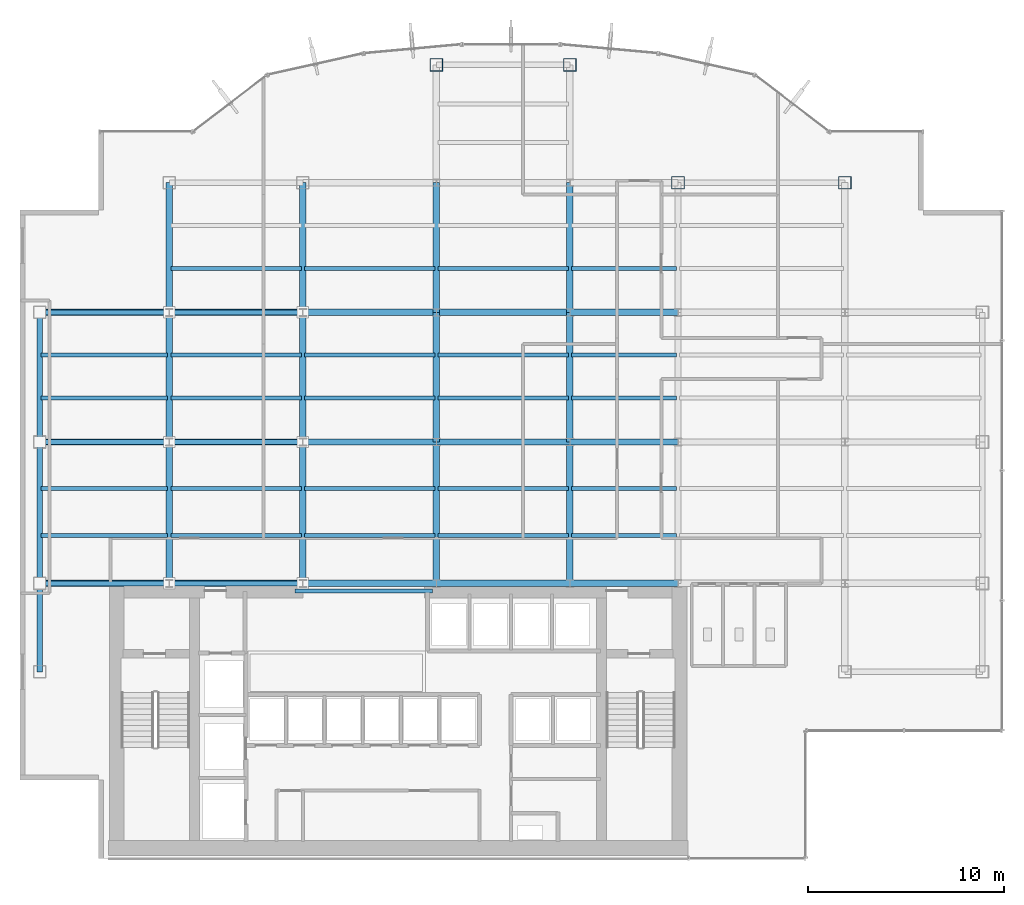
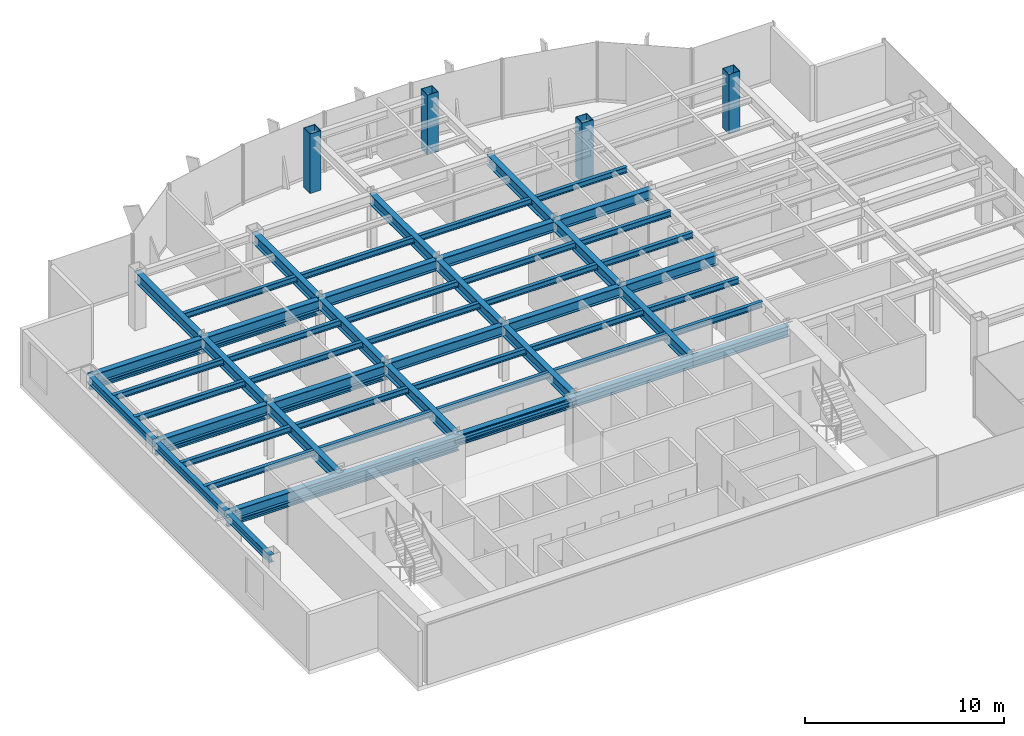
# One storey, part 2 of 19: 52 beams, 6 members, 4 columns.
"""IFC4 building model written with IfcOpenShell, lengths in metres."""

from ifc_helpers import new_model, si_unit, derived_unit, direction, frame, origin, origin_2d, place, context, subcontext, project, spatial, hollow_rectangle, i_section, extrude, source, transform, mapped, material, material_profile, profile_set, type_object, element, save


model = new_model("IFC4")

# Units and contexts
model_context = context("Model", 3, precision=1e-05, world=origin(), true_north=direction((0.0, 1.0)))
body_context = subcontext(model_context, "Body", "Model", "MODEL_VIEW")
ifc_project = project(units=[si_unit("LENGTHUNIT", "METRE"), si_unit("AREAUNIT", "SQUARE_METRE"), si_unit("VOLUMEUNIT", "CUBIC_METRE"), si_unit("PLANEANGLEUNIT", "RADIAN"), si_unit("MASSUNIT", "GRAM", prefix="KILO"), derived_unit("THERMALTRANSMITTANCEUNIT", [(si_unit("POWERUNIT", "WATT"), 1), (si_unit("LENGTHUNIT", "METRE"), -2), (si_unit("THERMODYNAMICTEMPERATUREUNIT", "KELVIN"), -1)])], contexts=[model_context])

# Site, building, storey
site_placement = place(None, origin())
site = spatial("IfcSite", under=ifc_project, at=site_placement, CompositionType="ELEMENT")
building_placement = place(site_placement, origin())
building = spatial("IfcBuilding", under=site, at=building_placement, Name="Skarnbrae Concourse Arena and Tower", CompositionType="ELEMENT")
storey_placement = place(building_placement, frame((0.0, 0.0, 180.75)))
storey = spatial("IfcBuildingStorey", under=building, at=storey_placement, Name="L46", CompositionType="ELEMENT", Elevation=180.75)

# Columns
ifc_material = material(Name="Steel CSA G40.21 350W", Category="steel")
ifc_material_profile_1 = material_profile(ifc_material, hollow_rectangle(XDim=0.64990234375, YDim=0.64990234375, WallThickness=0.031982421875, at=origin_2d()), Name="BOX650X650X32")
ifc_profile_set_1 = profile_set([ifc_material_profile_1], Name="Steel CSA G40.21 350W")
column_type = type_object("IfcColumnType", Name="COL-TUBE-BOX650", PredefinedType="COLUMN", material=ifc_profile_set_1)
shared_shape_1 = source(origin(), body_context, "Body", "SweptSolid", [
    extrude(hollow_rectangle(XDim=0.64990234375, YDim=0.64990234375, WallThickness=0.031982421875, at=origin_2d()), origin(), (0.0, 0.0, 1.0), 3.64990234375),
])
for number, where, z_axis, x_axis, name in (
    (1, (21.199951171875, 40.39990234375, 0.0), (0.0, 0.0, 1.0), (1.0, 0.0, 0.0), "L46 Tower column PC_04_06"),
    (2, (28.0, 40.39990234375, 0.0), (0.0, 0.0, 1.0), (1.0, 0.0, 0.0), "L46 Tower column PC_05_06"),
    (3, (33.5, 34.39990234375, 0.0), (0.0, 0.0, 1.0), (1.0, 0.0, 0.0), "L46 Tower column PC_06_05"),
    (4, (42.0, 34.39990234375, 0.0), (0.0, 0.0, 1.0), (1.0, 0.0, 0.0), "L46 Tower column PC_07_05"),
):
    element("IfcColumn", number, at=place(storey_placement, frame(where, z_axis=z_axis, x_axis=x_axis)), inside=storey, type_object=column_type, Name=name, PredefinedType="COLUMN", context=body_context, shape_type="MappedRepresentation", body=[
        mapped(shared_shape_1, transform((0.0, 0.0, 0.0))),
    ])

# Beams
ifc_material_profile_2 = material_profile(ifc_material, i_section(OverallWidth=0.202880859375, OverallDepth=0.251953125, WebThickness=0.008056640625, FlangeThickness=0.013427734375, at=origin_2d()), Name="W250X58")
ifc_profile_set_2 = profile_set([ifc_material_profile_2], Name="Steel CSA G40.21 350W")
beam_type_1 = type_object("IfcBeamType", Name="BM-LINTEL-W250X58", PredefinedType="LINTEL", material=ifc_profile_set_2)
shared_shape_2 = source(origin(), body_context, "Body", "SweptSolid", [
    extrude(i_section(OverallWidth=0.202880859375, OverallDepth=0.251953125, WebThickness=0.008056640625, FlangeThickness=0.013427734375, at=origin_2d()), origin(), (0.0, 0.0, 1.0), 7.0),
])
beam_1_placement = place(storey_placement, frame((14.0, 13.625, 3.27392578125), z_axis=(1.0, 0.0, 0.0), x_axis=(0.0, 1.0, 0.0)))
element("IfcBeam", 5, at=beam_1_placement, inside=storey, type_object=beam_type_1, Name="L46 Core portal coupling lintel", PredefinedType="LINTEL", context=body_context, shape_type="MappedRepresentation", body=[
    mapped(shared_shape_2, transform((0.0, 0.0, 0.0))),
])
ifc_material_profile_3 = material_profile(ifc_material, i_section(OverallWidth=0.3291015625, OverallDepth=0.635009765625, WebThickness=0.017822265625, FlangeThickness=0.031005859375, at=origin_2d()), Name="W610X241")
ifc_profile_set_3 = profile_set([ifc_material_profile_3], Name="Steel CSA G40.21 350W")
beam_type_2 = type_object("IfcBeamType", Name="BM-GIRD-W610X241", PredefinedType="BEAM", material=ifc_profile_set_3)
shared_shape_3 = source(origin(), body_context, "Body", "SweptSolid", [
    extrude(i_section(OverallWidth=0.3291015625, OverallDepth=0.635009765625, WebThickness=0.017822265625, FlangeThickness=0.031005859375, at=origin_2d()), origin(), (0.0, 0.0, 1.0), 6.60009765625),
])
for number, where, z_axis, x_axis, name in (
    (6, (7.60009765625, 21.199951171875, 3.08251953125), (0.0, 1.0, 0.0), (-1.0, 0.0, 0.0), "L46 Primary N-S girder X7.6-2"),
    (7, (14.39990234375, 21.199951171875, 3.08251953125), (0.0, 1.0, 0.0), (-1.0, 0.0, 0.0), "L46 Primary N-S girder X14.4-2"),
    (8, (21.199951171875, 21.199951171875, 3.08251953125), (0.0, 1.0, 0.0), (-1.0, 0.0, 0.0), "L46 Primary N-S girder X21.2-2"),
    (9, (28.0, 21.199951171875, 3.08251953125), (0.0, 1.0, 0.0), (-1.0, 0.0, 0.0), "L46 Primary N-S girder X28.0-2"),
):
    element("IfcBeam", number, at=place(storey_placement, frame(where, z_axis=z_axis, x_axis=x_axis)), inside=storey, type_object=beam_type_2, Name=name, PredefinedType="BEAM", context=body_context, shape_type="MappedRepresentation", body=[
        mapped(shared_shape_3, transform((0.0, 0.0, 0.0))),
    ])
shared_shape_4 = source(origin(), body_context, "Body", "SweptSolid", [
    extrude(i_section(OverallWidth=0.3291015625, OverallDepth=0.635009765625, WebThickness=0.017822265625, FlangeThickness=0.031005859375, at=origin_2d()), origin(), (0.0, 0.0, 1.0), 6.800048828125),
])
for number, where, z_axis, x_axis, name in (
    (10, (14.39990234375, 14.0, 3.08251953125), (1.0, 0.0, 0.0), (0.0, 1.0, 0.0), "L46 Primary E-W girder Y14.0-3"),
    (11, (21.199951171875, 14.0, 3.08251953125), (1.0, 0.0, 0.0), (0.0, 1.0, 0.0), "L46 Primary E-W girder Y14.0-4"),
    (12, (14.39990234375, 21.199951171875, 3.08251953125), (1.0, 0.0, 0.0), (0.0, 1.0, 0.0), "L46 Primary E-W girder Y21.2-3"),
    (13, (21.199951171875, 21.199951171875, 3.08251953125), (1.0, 0.0, 0.0), (0.0, 1.0, 0.0), "L46 Primary E-W girder Y21.2-4"),
    (14, (14.39990234375, 27.800048828125, 3.08251953125), (1.0, 0.0, 0.0), (0.0, 1.0, 0.0), "L46 Primary E-W girder Y27.8-3"),
    (15, (21.199951171875, 27.800048828125, 3.08251953125), (1.0, 0.0, 0.0), (0.0, 1.0, 0.0), "L46 Primary E-W girder Y27.8-4"),
):
    element("IfcBeam", number, at=place(storey_placement, frame(where, z_axis=z_axis, x_axis=x_axis)), inside=storey, type_object=beam_type_2, Name=name, PredefinedType="BEAM", context=body_context, shape_type="MappedRepresentation", body=[
        mapped(shared_shape_4, transform((0.0, 0.0, 0.0))),
    ])
shared_shape_5 = source(origin(), body_context, "Body", "SweptSolid", [
    extrude(i_section(OverallWidth=0.3291015625, OverallDepth=0.635009765625, WebThickness=0.017822265625, FlangeThickness=0.031005859375, at=origin_2d()), origin(), (0.0, 0.0, 1.0), 5.5),
])
for number, where, z_axis, x_axis, name in (
    (16, (28.0, 14.0, 3.08251953125), (1.0, 0.0, 0.0), (0.0, 1.0, 0.0), "L46 Primary E-W girder Y14.0-5"),
    (17, (28.0, 21.199951171875, 3.08251953125), (1.0, 0.0, 0.0), (0.0, 1.0, 0.0), "L46 Primary E-W girder Y21.2-5"),
    (18, (28.0, 27.800048828125, 3.08251953125), (1.0, 0.0, 0.0), (0.0, 1.0, 0.0), "L46 Primary E-W girder Y27.8-5"),
):
    element("IfcBeam", number, at=place(storey_placement, frame(where, z_axis=z_axis, x_axis=x_axis)), inside=storey, type_object=beam_type_2, Name=name, PredefinedType="BEAM", context=body_context, shape_type="MappedRepresentation", body=[
        mapped(shared_shape_5, transform((0.0, 0.0, 0.0))),
    ])
ifc_material_profile_4 = material_profile(ifc_material, i_section(OverallWidth=0.280029296875, OverallDepth=0.462890625, WebThickness=0.0107421875, FlangeThickness=0.017333984375, at=origin_2d()), Name="W460X113")
ifc_profile_set_4 = profile_set([ifc_material_profile_4], Name="Steel CSA G40.21 350W")
beam_type_3 = type_object("IfcBeamType", Name="BM-SPAN-W460X113", PredefinedType="SPANDREL", material=ifc_profile_set_4)
shared_shape_6 = source(origin(), body_context, "Body", "SweptSolid", [
    extrude(i_section(OverallWidth=0.280029296875, OverallDepth=0.462890625, WebThickness=0.0107421875, FlangeThickness=0.017333984375, at=origin_2d()), origin(), (0.0, 0.0, 1.0), 4.5),
])
beam_2_placement = place(storey_placement, frame((1.0, 9.5, 3.16845703125), z_axis=(0.0, 1.0, 0.0), x_axis=(-1.0, 0.0, 0.0)))
element("IfcBeam", 19, at=beam_2_placement, inside=storey, type_object=beam_type_3, Name="L46 Perimeter spandrel X1.0-1", PredefinedType="SPANDREL", context=body_context, shape_type="MappedRepresentation", body=[
    mapped(shared_shape_6, transform((0.0, 0.0, 0.0))),
])
shared_shape_7 = source(origin(), body_context, "Body", "SweptSolid", [
    extrude(i_section(OverallWidth=0.280029296875, OverallDepth=0.462890625, WebThickness=0.0107421875, FlangeThickness=0.017333984375, at=origin_2d()), origin(), (0.0, 0.0, 1.0), 7.199951171875),
])
beam_3_placement = place(storey_placement, frame((1.0, 14.0, 3.16845703125), z_axis=(0.0, 1.0, 0.0), x_axis=(-1.0, 0.0, 0.0)))
element("IfcBeam", 20, at=beam_3_placement, inside=storey, type_object=beam_type_3, Name="L46 Perimeter spandrel X1.0-2", PredefinedType="SPANDREL", context=body_context, shape_type="MappedRepresentation", body=[
    mapped(shared_shape_7, transform((0.0, 0.0, 0.0))),
])
shared_shape_8 = source(origin(), body_context, "Body", "SweptSolid", [
    extrude(i_section(OverallWidth=0.280029296875, OverallDepth=0.462890625, WebThickness=0.0107421875, FlangeThickness=0.017333984375, at=origin_2d()), origin(), (0.0, 0.0, 1.0), 6.60009765625),
])
beam_4_placement = place(storey_placement, frame((1.0, 21.199951171875, 3.16845703125), z_axis=(0.0, 1.0, 0.0), x_axis=(-1.0, 0.0, 0.0)))
element("IfcBeam", 21, at=beam_4_placement, inside=storey, type_object=beam_type_3, Name="L46 Perimeter spandrel X1.0-3", PredefinedType="SPANDREL", context=body_context, shape_type="MappedRepresentation", body=[
    mapped(shared_shape_8, transform((0.0, 0.0, 0.0))),
])
shared_shape_9 = source(origin(), body_context, "Body", "SweptSolid", [
    extrude(i_section(OverallWidth=0.3291015625, OverallDepth=0.635009765625, WebThickness=0.017822265625, FlangeThickness=0.031005859375, at=origin_2d()), origin(), (0.0, 0.0, 1.0), 7.199951171875),
])
for number, where, z_axis, x_axis, name in (
    (22, (7.60009765625, 14.0, 3.08251953125), (0.0, 1.0, 0.0), (-1.0, 0.0, 0.0), "L46 Primary N-S girder X7.6-1"),
    (23, (14.39990234375, 14.0, 3.08251953125), (0.0, 1.0, 0.0), (-1.0, 0.0, 0.0), "L46 Primary N-S girder X14.4-1"),
    (24, (21.199951171875, 14.0, 3.08251953125), (0.0, 1.0, 0.0), (-1.0, 0.0, 0.0), "L46 Primary N-S girder X21.2-1"),
    (25, (28.0, 14.0, 3.08251953125), (0.0, 1.0, 0.0), (-1.0, 0.0, 0.0), "L46 Primary N-S girder X28.0-1"),
):
    element("IfcBeam", number, at=place(storey_placement, frame(where, z_axis=z_axis, x_axis=x_axis)), inside=storey, type_object=beam_type_2, Name=name, PredefinedType="BEAM", context=body_context, shape_type="MappedRepresentation", body=[
        mapped(shared_shape_9, transform((0.0, 0.0, 0.0))),
    ])
shared_shape_10 = source(origin(), body_context, "Body", "SweptSolid", [
    extrude(i_section(OverallWidth=0.3291015625, OverallDepth=0.635009765625, WebThickness=0.017822265625, FlangeThickness=0.031005859375, at=origin_2d()), origin(), (0.0, 0.0, 1.0), 6.599853515625),
])
for number, where, z_axis, x_axis, name in (
    (26, (7.60009765625, 27.800048828125, 3.08251953125), (0.0, 1.0, 0.0), (-1.0, 0.0, 0.0), "L46 Primary N-S girder X7.6-3"),
    (27, (14.39990234375, 27.800048828125, 3.08251953125), (0.0, 1.0, 0.0), (-1.0, 0.0, 0.0), "L46 Primary N-S girder X14.4-3"),
    (28, (21.199951171875, 27.800048828125, 3.08251953125), (0.0, 1.0, 0.0), (-1.0, 0.0, 0.0), "L46 Primary N-S girder X21.2-3"),
    (29, (28.0, 27.800048828125, 3.08251953125), (0.0, 1.0, 0.0), (-1.0, 0.0, 0.0), "L46 Primary N-S girder X28.0-3"),
):
    element("IfcBeam", number, at=place(storey_placement, frame(where, z_axis=z_axis, x_axis=x_axis)), inside=storey, type_object=beam_type_2, Name=name, PredefinedType="BEAM", context=body_context, shape_type="MappedRepresentation", body=[
        mapped(shared_shape_10, transform((0.0, 0.0, 0.0))),
    ])
ifc_material_profile_5 = material_profile(ifc_material, i_section(OverallWidth=0.205078125, OverallDepth=0.35400390625, WebThickness=0.009521484375, FlangeThickness=0.016845703125, at=origin_2d()), Name="W360X79")
ifc_profile_set_5 = profile_set([ifc_material_profile_5], Name="Steel CSA G40.21 350W")
beam_type_4 = type_object("IfcBeamType", Name="BM-JOIST-W360X79", PredefinedType="JOIST", material=ifc_profile_set_5)
shared_shape_11 = source(origin(), body_context, "Body", "SweptSolid", [
    extrude(i_section(OverallWidth=0.205078125, OverallDepth=0.35400390625, WebThickness=0.009521484375, FlangeThickness=0.016845703125, at=origin_2d()), origin(), (0.0, 0.0, 1.0), 6.43994140625),
])
for number, where, z_axis, x_axis, name in (
    (30, (1.080078125, 16.447998046875, 3.222900390625), (1.0, 0.0, 0.0), (0.0, 1.0, 0.0), "L46 Secondary floor joist 1.1.1"),
    (31, (1.080078125, 18.823974609375, 3.222900390625), (1.0, 0.0, 0.0), (0.0, 1.0, 0.0), "L46 Secondary floor joist 1.2.1"),
    (32, (1.080078125, 23.444091796875, 3.222900390625), (1.0, 0.0, 0.0), (0.0, 1.0, 0.0), "L46 Secondary floor joist 2.1.1"),
    (33, (1.080078125, 25.6220703125, 3.222900390625), (1.0, 0.0, 0.0), (0.0, 1.0, 0.0), "L46 Secondary floor joist 2.2.1"),
):
    element("IfcBeam", number, at=place(storey_placement, frame(where, z_axis=z_axis, x_axis=x_axis)), inside=storey, type_object=beam_type_4, Name=name, PredefinedType="JOIST", context=body_context, shape_type="MappedRepresentation", body=[
        mapped(shared_shape_11, transform((0.0, 0.0, 0.0))),
    ])
shared_shape_12 = source(origin(), body_context, "Body", "SweptSolid", [
    extrude(i_section(OverallWidth=0.205078125, OverallDepth=0.35400390625, WebThickness=0.009521484375, FlangeThickness=0.016845703125, at=origin_2d()), origin(), (0.0, 0.0, 1.0), 6.64013671875),
])
for number, where, z_axis, x_axis, name in (
    (34, (7.679931640625, 16.447998046875, 3.222900390625), (1.0, 0.0, 0.0), (0.0, 1.0, 0.0), "L46 Secondary floor joist 1.1.2"),
    (35, (14.47998046875, 16.447998046875, 3.222900390625), (1.0, 0.0, 0.0), (0.0, 1.0, 0.0), "L46 Secondary floor joist 1.1.3"),
    (36, (7.679931640625, 18.823974609375, 3.222900390625), (1.0, 0.0, 0.0), (0.0, 1.0, 0.0), "L46 Secondary floor joist 1.2.2"),
    (37, (14.47998046875, 18.823974609375, 3.222900390625), (1.0, 0.0, 0.0), (0.0, 1.0, 0.0), "L46 Secondary floor joist 1.2.3"),
    (38, (7.679931640625, 23.444091796875, 3.222900390625), (1.0, 0.0, 0.0), (0.0, 1.0, 0.0), "L46 Secondary floor joist 2.1.2"),
    (39, (14.47998046875, 23.444091796875, 3.222900390625), (1.0, 0.0, 0.0), (0.0, 1.0, 0.0), "L46 Secondary floor joist 2.1.3"),
    (40, (7.679931640625, 25.6220703125, 3.222900390625), (1.0, 0.0, 0.0), (0.0, 1.0, 0.0), "L46 Secondary floor joist 2.2.2"),
    (41, (14.47998046875, 25.6220703125, 3.222900390625), (1.0, 0.0, 0.0), (0.0, 1.0, 0.0), "L46 Secondary floor joist 2.2.3"),
    (42, (7.679931640625, 30.0439453125, 3.222900390625), (1.0, 0.0, 0.0), (0.0, 1.0, 0.0), "L46 Secondary floor joist 3.1.1"),
    (43, (14.47998046875, 30.0439453125, 3.222900390625), (1.0, 0.0, 0.0), (0.0, 1.0, 0.0), "L46 Secondary floor joist 3.1.2"),
):
    element("IfcBeam", number, at=place(storey_placement, frame(where, z_axis=z_axis, x_axis=x_axis)), inside=storey, type_object=beam_type_4, Name=name, PredefinedType="JOIST", context=body_context, shape_type="MappedRepresentation", body=[
        mapped(shared_shape_12, transform((0.0, 0.0, 0.0))),
    ])
shared_shape_13 = source(origin(), body_context, "Body", "SweptSolid", [
    extrude(i_section(OverallWidth=0.205078125, OverallDepth=0.35400390625, WebThickness=0.009521484375, FlangeThickness=0.016845703125, at=origin_2d()), origin(), (0.0, 0.0, 1.0), 6.639892578125),
])
for number, where, z_axis, x_axis, name in (
    (44, (21.280029296875, 16.447998046875, 3.222900390625), (1.0, 0.0, 0.0), (0.0, 1.0, 0.0), "L46 Secondary floor joist 1.1.4"),
    (45, (21.280029296875, 18.823974609375, 3.222900390625), (1.0, 0.0, 0.0), (0.0, 1.0, 0.0), "L46 Secondary floor joist 1.2.4"),
    (46, (21.280029296875, 23.444091796875, 3.222900390625), (1.0, 0.0, 0.0), (0.0, 1.0, 0.0), "L46 Secondary floor joist 2.1.4"),
    (47, (21.280029296875, 25.6220703125, 3.222900390625), (1.0, 0.0, 0.0), (0.0, 1.0, 0.0), "L46 Secondary floor joist 2.2.4"),
    (48, (21.280029296875, 30.0439453125, 3.222900390625), (1.0, 0.0, 0.0), (0.0, 1.0, 0.0), "L46 Secondary floor joist 3.1.3"),
):
    element("IfcBeam", number, at=place(storey_placement, frame(where, z_axis=z_axis, x_axis=x_axis)), inside=storey, type_object=beam_type_4, Name=name, PredefinedType="JOIST", context=body_context, shape_type="MappedRepresentation", body=[
        mapped(shared_shape_13, transform((0.0, 0.0, 0.0))),
    ])
shared_shape_14 = source(origin(), body_context, "Body", "SweptSolid", [
    extrude(i_section(OverallWidth=0.205078125, OverallDepth=0.35400390625, WebThickness=0.009521484375, FlangeThickness=0.016845703125, at=origin_2d()), origin(), (0.0, 0.0, 1.0), 5.33984375),
])
for number, where, z_axis, x_axis, name in (
    (49, (28.080078125, 16.447998046875, 3.222900390625), (1.0, 0.0, 0.0), (0.0, 1.0, 0.0), "L46 Secondary floor joist 1.1.5"),
    (50, (28.080078125, 18.823974609375, 3.222900390625), (1.0, 0.0, 0.0), (0.0, 1.0, 0.0), "L46 Secondary floor joist 1.2.5"),
    (51, (28.080078125, 23.444091796875, 3.222900390625), (1.0, 0.0, 0.0), (0.0, 1.0, 0.0), "L46 Secondary floor joist 2.1.5"),
    (52, (28.080078125, 25.6220703125, 3.222900390625), (1.0, 0.0, 0.0), (0.0, 1.0, 0.0), "L46 Secondary floor joist 2.2.5"),
    (53, (28.080078125, 30.0439453125, 3.222900390625), (1.0, 0.0, 0.0), (0.0, 1.0, 0.0), "L46 Secondary floor joist 3.1.4"),
):
    element("IfcBeam", number, at=place(storey_placement, frame(where, z_axis=z_axis, x_axis=x_axis)), inside=storey, type_object=beam_type_4, Name=name, PredefinedType="JOIST", context=body_context, shape_type="MappedRepresentation", body=[
        mapped(shared_shape_14, transform((0.0, 0.0, 0.0))),
    ])
shared_shape_15 = source(origin(), body_context, "Body", "SweptSolid", [
    extrude(i_section(OverallWidth=0.3291015625, OverallDepth=0.635009765625, WebThickness=0.017822265625, FlangeThickness=0.031005859375, at=origin_2d()), origin(), (0.0, 0.0, 1.0), 13.39990234375),
])
for number, where, z_axis, x_axis, name in (
    (54, (14.39990234375, 14.0, 3.032470703125), (-1.0, 0.0, 0.0), (0.0, -1.0, 0.0), "L47 Sky pool cantilever trusses back-span girder 1"),
    (55, (14.39990234375, 21.199951171875, 3.032470703125), (-1.0, 0.0, 0.0), (0.0, -1.0, 0.0), "L47 Sky pool cantilever trusses back-span girder 2"),
    (56, (14.39990234375, 27.800048828125, 3.032470703125), (-1.0, 0.0, 0.0), (0.0, -1.0, 0.0), "L47 Sky pool cantilever trusses back-span girder 3"),
):
    element("IfcBeam", number, at=place(storey_placement, frame(where, z_axis=z_axis, x_axis=x_axis)), inside=storey, type_object=beam_type_2, Name=name, PredefinedType="BEAM", context=body_context, shape_type="MappedRepresentation", body=[
        mapped(shared_shape_15, transform((0.0, 0.0, 0.0))),
    ])

# Members
ifc_material_profile_6 = material_profile(ifc_material, i_section(OverallWidth=0.256103515625, OverallDepth=0.260009765625, WebThickness=0.0107421875, FlangeThickness=0.017333984375, at=origin_2d()), Name="W250X89")
ifc_profile_set_6 = profile_set([ifc_material_profile_6], Name="Steel CSA G40.21 350W")
member_type = type_object("IfcMemberType", Name="MEM-CHORD-W250X89", PredefinedType="CHORD", material=ifc_profile_set_6)
shared_shape_16 = source(origin(), body_context, "Body", "SweptSolid", [
    extrude(i_section(OverallWidth=0.256103515625, OverallDepth=0.260009765625, WebThickness=0.0107421875, FlangeThickness=0.017333984375, at=origin_2d()), origin(), (0.0, 0.0, 1.0), 6.7998046875),
])
for number, where, z_axis, x_axis, name in (
    (57, (14.39990234375, 14.0, 2.570068359375), (-1.0, 0.0, 0.0), (0.0, -1.0, 0.0), "L47 Sky pool lower back-span chord 1.1"),
    (58, (14.39990234375, 21.199951171875, 2.570068359375), (-1.0, 0.0, 0.0), (0.0, -1.0, 0.0), "L47 Sky pool lower back-span chord 2.1"),
    (59, (14.39990234375, 27.800048828125, 2.570068359375), (-1.0, 0.0, 0.0), (0.0, -1.0, 0.0), "L47 Sky pool lower back-span chord 3.1"),
):
    element("IfcMember", number, at=place(storey_placement, frame(where, z_axis=z_axis, x_axis=x_axis)), inside=storey, type_object=member_type, Name=name, PredefinedType="CHORD", context=body_context, shape_type="MappedRepresentation", body=[
        mapped(shared_shape_16, transform((0.0, 0.0, 0.0))),
    ])
shared_shape_17 = source(origin(), body_context, "Body", "SweptSolid", [
    extrude(i_section(OverallWidth=0.256103515625, OverallDepth=0.260009765625, WebThickness=0.0107421875, FlangeThickness=0.017333984375, at=origin_2d()), origin(), (0.0, 0.0, 1.0), 6.60009765625),
])
for number, where, z_axis, x_axis, name in (
    (60, (7.60009765625, 14.0, 2.570068359375), (-1.0, 0.0, 0.0), (0.0, -1.0, 0.0), "L47 Sky pool lower back-span chord 1.2"),
    (61, (7.60009765625, 21.199951171875, 2.570068359375), (-1.0, 0.0, 0.0), (0.0, -1.0, 0.0), "L47 Sky pool lower back-span chord 2.2"),
    (62, (7.60009765625, 27.800048828125, 2.570068359375), (-1.0, 0.0, 0.0), (0.0, -1.0, 0.0), "L47 Sky pool lower back-span chord 3.2"),
):
    element("IfcMember", number, at=place(storey_placement, frame(where, z_axis=z_axis, x_axis=x_axis)), inside=storey, type_object=member_type, Name=name, PredefinedType="CHORD", context=body_context, shape_type="MappedRepresentation", body=[
        mapped(shared_shape_17, transform((0.0, 0.0, 0.0))),
    ])

save(model, "model.ifc")
